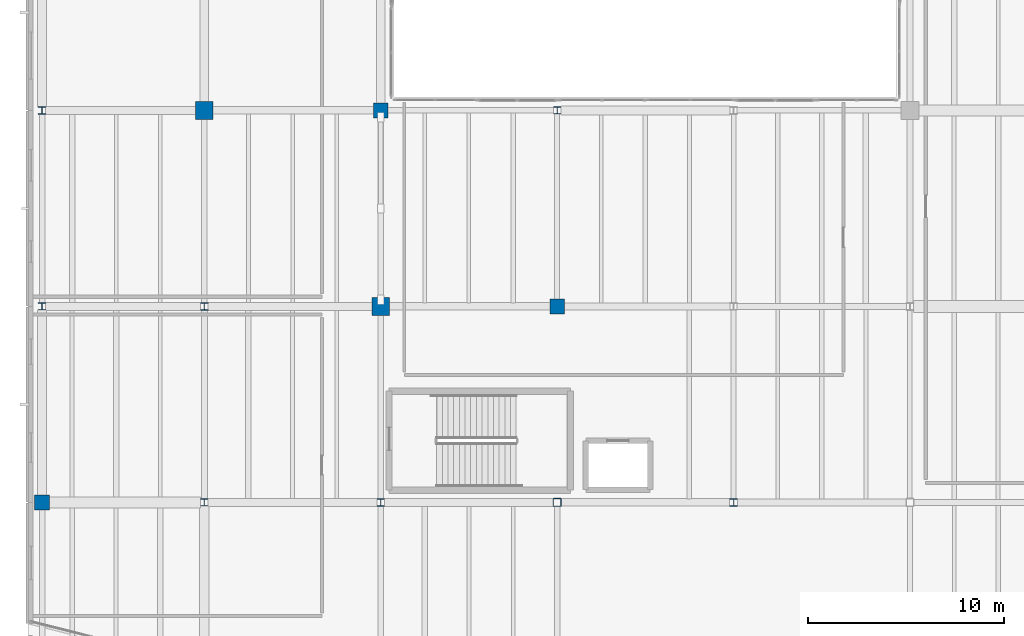
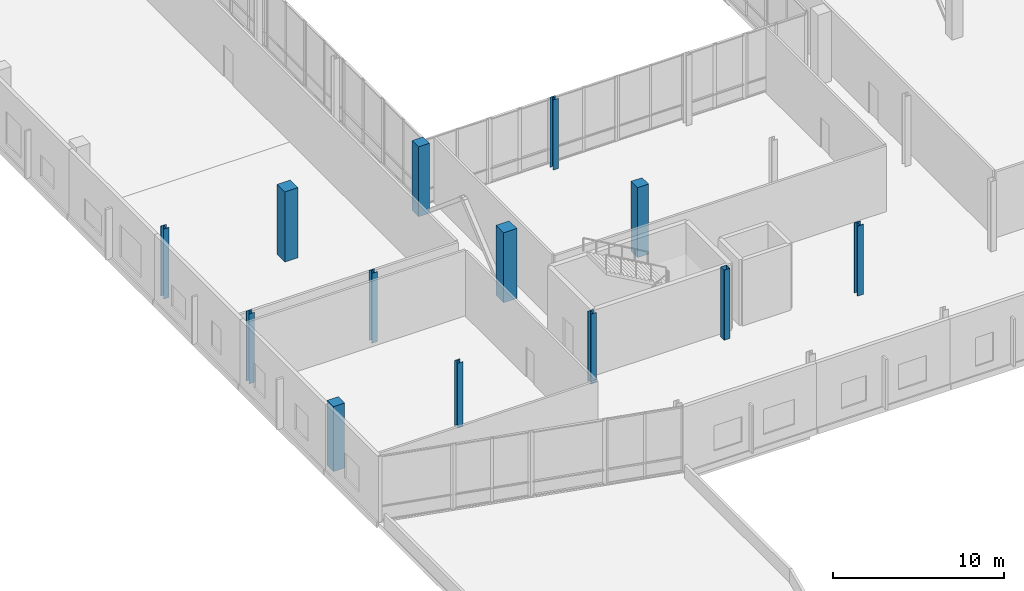
# One storey, part 2 of 81: 13 columns.
"""IFC4 building model written with IfcOpenShell, lengths in metres."""

from ifc_helpers import new_model, si_unit, direction, frame, origin, origin_2d, place, context, subcontext, project, spatial, rectangle, hollow_rectangle, i_section, extrude, material, material_profile, profile_set, type_object, element, save


model = new_model("IFC4")

# Units and contexts
model_context = context("Model", 3, precision=1e-05, world=origin(), true_north=direction((0.0, 1.0)))
body_context = subcontext(model_context, "Body", "Model", "MODEL_VIEW")
ifc_project = project(units=[si_unit("LENGTHUNIT", "METRE"), si_unit("AREAUNIT", "SQUARE_METRE"), si_unit("VOLUMEUNIT", "CUBIC_METRE"), si_unit("PLANEANGLEUNIT", "RADIAN"), si_unit("MASSUNIT", "GRAM", prefix="KILO")], contexts=[model_context])

# Site, building, storey
site_placement = place(None, origin())
site = spatial("IfcSite", under=ifc_project, at=site_placement, CompositionType="ELEMENT")
building_placement = place(site_placement, origin())
building = spatial("IfcBuilding", under=site, at=building_placement, Name="Trimount Lyric Opera House", CompositionType="ELEMENT")
storey_placement = place(building_placement, frame((0.0, 0.0, 5.0)))
storey = spatial("IfcBuildingStorey", under=building, at=storey_placement, Name="L01", CompositionType="ELEMENT", Elevation=5.0)

# Columns
ifc_material_1 = material(Name="Steel ASTM A992 Grade 50", Category="steel")
ifc_material_profile_1 = material_profile(ifc_material_1, i_section(OverallWidth=0.406005859375, OverallDepth=0.4169921875, WebThickness=0.02978515625, FlangeThickness=0.048095703125, FilletRadius=0.01806640625, at=origin_2d()), Name="W14X257")
ifc_profile_set_1 = profile_set([ifc_material_profile_1], Name="Steel ASTM A992 Grade 50")
column_type_1 = type_object("IfcColumnType", Name="C-02", PredefinedType="COLUMN", material=ifc_profile_set_1)
column_1_placement = place(storey_placement, frame((36.0, 54.0, 0.0), z_axis=(0.0, 0.0, 1.0), x_axis=(1.0, 0.0, 0.0)))
element("IfcColumn", 1, at=column_1_placement, inside=storey, type_object=column_type_1, Name="L01 column 5/G", PredefinedType="COLUMN", context=body_context, shape_type="SweptSolid", body=[
    extrude(i_section(OverallWidth=0.406005859375, OverallDepth=0.4169921875, WebThickness=0.02978515625, FlangeThickness=0.048095703125, FilletRadius=0.01806640625, at=origin_2d()), origin(), (0.0, 0.0, 1.0), 5.0),
])
ifc_material_2 = material(Name="Steel ASTM A992 Grade 50", Category="steel")
ifc_material_profile_2 = material_profile(ifc_material_2, i_section(OverallWidth=0.373046875, OverallDepth=0.367919921875, WebThickness=0.014892578125, FlangeThickness=0.02392578125, FilletRadius=0.014892578125, at=origin_2d()), Name="W14X120")
ifc_profile_set_2 = profile_set([ifc_material_profile_2], Name="Steel ASTM A992 Grade 50")
column_type_2 = type_object("IfcColumnType", Name="C-04", PredefinedType="COLUMN", material=ifc_profile_set_2)
for number, where, z_axis, x_axis, name in (
    (2, (0.719970703125, 74.0, 0.0), (0.0, 0.0, 1.0), (1.0, 0.0, 0.0), "L01 column 1/J"),
    (3, (9.0, 64.0, 0.0), (0.0, 0.0, 1.0), (1.0, 0.0, 0.0), "L01 column 2/H"),
    (4, (18.0, 54.0, 0.0), (0.0, 0.0, 1.0), (1.0, 0.0, 0.0), "L01 column 3/G"),
):
    element("IfcColumn", number, at=place(storey_placement, frame(where, z_axis=z_axis, x_axis=x_axis)), inside=storey, type_object=column_type_2, Name=name, PredefinedType="COLUMN", context=body_context, shape_type="SweptSolid", body=[
        extrude(i_section(OverallWidth=0.373046875, OverallDepth=0.367919921875, WebThickness=0.014892578125, FlangeThickness=0.02392578125, FilletRadius=0.014892578125, at=origin_2d()), origin(), (0.0, 0.0, 1.0), 5.0),
    ])
ifc_material_3 = material(Name="Steel ASTM A500 Grade C", Category="steel")
ifc_material_profile_3 = material_profile(ifc_material_3, hollow_rectangle(XDim=0.406494140625, YDim=0.406494140625, WallThickness=0.014892578125, InnerFilletRadius=0.01513671875, OuterFilletRadius=0.030029296875, at=origin_2d()), Name="HSS406.4X406.4X15.9")
ifc_profile_set_3 = profile_set([ifc_material_profile_3], Name="Steel ASTM A500 Grade C")
column_type_3 = type_object("IfcColumnType", Name="C-07", PredefinedType="COLUMN", material=ifc_profile_set_3)
column_2_placement = place(storey_placement, frame((27.0, 54.0, 0.0), z_axis=(0.0, 0.0, 1.0), x_axis=(1.0, 0.0, 0.0)))
element("IfcColumn", 5, at=column_2_placement, inside=storey, type_object=column_type_3, Name="L01 column 4/G", PredefinedType="COLUMN", context=body_context, shape_type="SweptSolid", body=[
    extrude(hollow_rectangle(XDim=0.406494140625, YDim=0.406494140625, WallThickness=0.014892578125, InnerFilletRadius=0.01513671875, OuterFilletRadius=0.030029296875, at=origin_2d()), origin(), (0.0, 0.0, 1.0), 5.0),
])
ifc_material_4 = material(Name="Steel ASTM A992 Grade 50", Category="steel")
ifc_material_profile_4 = material_profile(ifc_material_4, i_section(OverallWidth=0.367919921875, OverallDepth=0.35595703125, WebThickness=0.01123046875, FlangeThickness=0.01806640625, FilletRadius=0.014892578125, at=origin_2d()), Name="W14X90")
ifc_profile_set_4 = profile_set([ifc_material_profile_4], Name="Steel ASTM A992 Grade 50")
column_type_4 = type_object("IfcColumnType", Name="C-09", PredefinedType="COLUMN", material=ifc_profile_set_4)
column_3_placement = place(storey_placement, frame((0.719970703125, 64.0, 0.0), z_axis=(0.0, 0.0, 1.0), x_axis=(1.0, 0.0, 0.0)))
element("IfcColumn", 6, at=column_3_placement, inside=storey, type_object=column_type_4, Name="L01 column 1/H", PredefinedType="COLUMN", context=body_context, shape_type="SweptSolid", body=[
    extrude(i_section(OverallWidth=0.367919921875, OverallDepth=0.35595703125, WebThickness=0.01123046875, FlangeThickness=0.01806640625, FilletRadius=0.014892578125, at=origin_2d()), origin(), (0.0, 0.0, 1.0), 5.0),
])
column_4_placement = place(storey_placement, frame((9.0, 54.0, 0.0), z_axis=(0.0, 0.0, 1.0), x_axis=(1.0, 0.0, 0.0)))
element("IfcColumn", 7, at=column_4_placement, inside=storey, type_object=column_type_4, Name="L01 column 2/G", PredefinedType="COLUMN", context=body_context, shape_type="SweptSolid", body=[
    extrude(i_section(OverallWidth=0.367919921875, OverallDepth=0.35595703125, WebThickness=0.01123046875, FlangeThickness=0.01806640625, FilletRadius=0.014892578125, at=origin_2d()), origin(), (0.0, 0.0, 1.0), 4.639892578125),
])
column_5_placement = place(storey_placement, frame((27.0, 74.0, 0.0), z_axis=(0.0, 0.0, 1.0), x_axis=(1.0, 0.0, 0.0)))
element("IfcColumn", 8, at=column_5_placement, inside=storey, type_object=column_type_4, Name="L01 column 4/J", PredefinedType="COLUMN", context=body_context, shape_type="SweptSolid", body=[
    extrude(i_section(OverallWidth=0.367919921875, OverallDepth=0.35595703125, WebThickness=0.01123046875, FlangeThickness=0.01806640625, FilletRadius=0.014892578125, at=origin_2d()), origin(), (0.0, 0.0, 1.0), 5.0),
])
ifc_material_5 = material(Name="Concrete C50/60", Category="concrete")
ifc_material_profile_5 = material_profile(ifc_material_5, rectangle(XDim=0.89990234375, YDim=0.89990234375, at=origin_2d()), Name="RC900X900")
ifc_profile_set_5 = profile_set([ifc_material_profile_5], Name="Concrete C50/60")
column_type_5 = type_object("IfcColumnType", Name="C-13", PredefinedType="COLUMN", material=ifc_profile_set_5)
for number, where, z_axis, x_axis, name in (
    (9, (9.0, 74.0, 0.0), (0.0, 0.0, 1.0), (1.0, 0.0, 0.0), "L01 column 2/J"),
    (10, (18.0, 64.0, 0.0), (0.0, 0.0, 1.0), (1.0, 0.0, 0.0), "L01 column 3/H"),
):
    element("IfcColumn", number, at=place(storey_placement, frame(where, z_axis=z_axis, x_axis=x_axis)), inside=storey, type_object=column_type_5, Name=name, PredefinedType="COLUMN", context=body_context, shape_type="SweptSolid", body=[
        extrude(rectangle(XDim=0.89990234375, YDim=0.89990234375, at=origin_2d()), origin(), (0.0, 0.0, 1.0), 5.0),
    ])
ifc_material_6 = material(Name="Concrete C40/50", Category="concrete")
ifc_material_profile_6 = material_profile(ifc_material_6, rectangle(XDim=0.75, YDim=0.75, at=origin_2d()), Name="RC750X750")
ifc_profile_set_6 = profile_set([ifc_material_profile_6], Name="Concrete C40/50")
column_type_6 = type_object("IfcColumnType", Name="C-15", PredefinedType="COLUMN", material=ifc_profile_set_6)
column_6_placement = place(storey_placement, frame((0.719970703125, 54.0, 0.0), z_axis=(0.0, 0.0, 1.0), x_axis=(1.0, 0.0, 0.0)))
element("IfcColumn", 11, at=column_6_placement, inside=storey, type_object=column_type_6, Name="L01 column 1/G", PredefinedType="COLUMN", context=body_context, shape_type="SweptSolid", body=[
    extrude(rectangle(XDim=0.75, YDim=0.75, at=origin_2d()), origin(), (0.0, 0.0, 1.0), 4.639892578125),
])
for number, where, z_axis, x_axis, name in (
    (12, (18.0, 74.0, 0.0), (0.0, 0.0, 1.0), (1.0, 0.0, 0.0), "L01 column 3/J"),
    (13, (27.0, 64.0, 0.0), (0.0, 0.0, 1.0), (1.0, 0.0, 0.0), "L01 column 4/H"),
):
    element("IfcColumn", number, at=place(storey_placement, frame(where, z_axis=z_axis, x_axis=x_axis)), inside=storey, type_object=column_type_6, Name=name, PredefinedType="COLUMN", context=body_context, shape_type="SweptSolid", body=[
        extrude(rectangle(XDim=0.75, YDim=0.75, at=origin_2d()), origin(), (0.0, 0.0, 1.0), 5.0),
    ])

save(model, "model.ifc")
